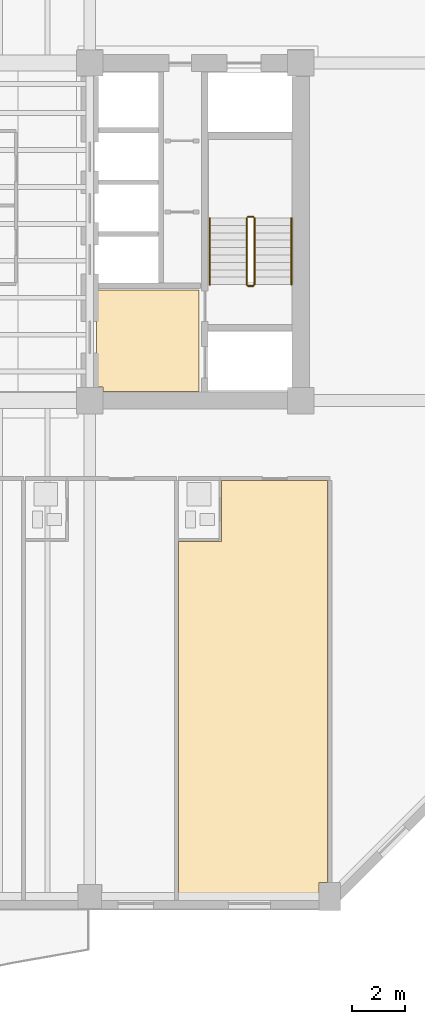
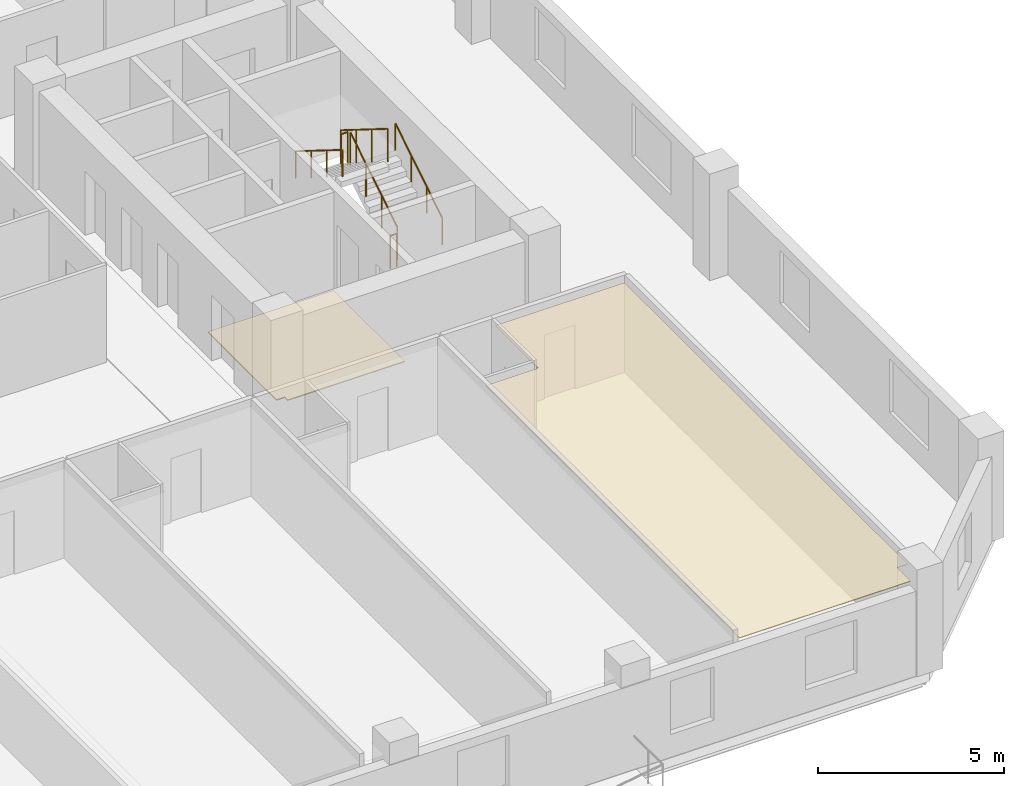
# One storey, part 9 of 11: 6 railings, 2 coverings.
"""IFC4 building model written with IfcOpenShell, lengths in metres."""

from ifc_helpers import new_model, si_unit, direction, frame, origin, origin_2d, place, context, subcontext, project, spatial, polyline, circle, outline, extrude, material, layer, layer_set, type_object, element, save


model = new_model("IFC4")

# Units and contexts
model_context = context("Model", 3, precision=1e-05, world=origin(), true_north=direction((0.0, 1.0)))
body_context = subcontext(model_context, "Body", "Model", "MODEL_VIEW")
ifc_project = project(units=[si_unit("LENGTHUNIT", "METRE"), si_unit("AREAUNIT", "SQUARE_METRE"), si_unit("VOLUMEUNIT", "CUBIC_METRE"), si_unit("PLANEANGLEUNIT", "RADIAN"), si_unit("MASSUNIT", "GRAM", prefix="KILO")], contexts=[model_context])

# Site, building, storey
site_placement = place(None, origin())
site = spatial("IfcSite", under=ifc_project, at=site_placement, CompositionType="ELEMENT")
building_placement = place(site_placement, origin())
building = spatial("IfcBuilding", under=site, at=building_placement, Name="Kranthara Brick Stack", CompositionType="ELEMENT")
storey_placement = place(building_placement, frame((0.0, 0.0, 130.800048828125)))
storey = spatial("IfcBuildingStorey", under=building, at=storey_placement, Name="L32", CompositionType="ELEMENT", Elevation=130.800048828125)

# Coverings
ifc_material_1 = material(Name="Perforated mineral-fibre acoustic ceiling tile", Category="other")
ifc_layer_1 = layer(ifc_material_1, 0.02490234375)
ifc_layer_set_1 = layer_set([ifc_layer_1], Name="Perforated mineral-fibre acoustic ceiling tile")
covering_type_1 = type_object("IfcCoveringType", Name="COV-CEIL-ACOUSTIC", PredefinedType="CEILING", material=ifc_layer_set_1)
covering_1_placement = place(storey_placement, frame((0.0, 0.0, 2.929931640625)))
element("IfcCovering", 1, at=covering_1_placement, inside=storey, type_object=covering_type_1, Name="L32 Room L32-06 Corner Junior Suite Acoustic Ceiling", PredefinedType="CEILING", context=body_context, shape_type="SweptSolid", body=[
    extrude(outline(polyline([(38.573974609375, 1.800048828125), (38.573974609375, 15.4599609375), (40.2041015625, 15.4599609375), (40.2041015625, 17.77001953125), (44.219970703125, 17.77001953125), (44.219970703125, 2.534912109375), (43.889892578125, 2.534912109375), (43.889892578125, 1.800048828125), (38.573974609375, 1.800048828125)])), origin(), (0.0, 0.0, 1.0), 0.02490234375),
])
ifc_material_2 = material(Name="Honed terrazzo and porcelain floor finish", Category="stone")
ifc_layer_2 = layer(ifc_material_2, 0.030029296875)
ifc_layer_set_2 = layer_set([ifc_layer_2], Name="Honed terrazzo and porcelain floor finish")
covering_type_2 = type_object("IfcCoveringType", Name="COV-FLOR-STONE", PredefinedType="FLOORING", material=ifc_layer_set_2)
covering_2_placement = place(storey_placement, origin())
element("IfcCovering", 2, at=covering_2_placement, inside=storey, type_object=covering_type_2, Name="L32 Lift Lobby Stone Flooring", PredefinedType="FLOORING", context=body_context, shape_type="SweptSolid", body=[
    extrude(outline(polyline([(35.449951171875, 25.0), (39.35009765625, 25.0), (39.35009765625, 21.14990234375), (35.7099609375, 21.14990234375), (35.7099609375, 21.31005859375), (35.449951171875, 21.31005859375), (35.449951171875, 25.0)])), origin(), (0.0, 0.0, 1.0), 0.030029296875),
])

# Railings
ifc_material_3 = material(Name="Painted galvanized steel stair guardrail", Category="steel")
railing_type_1 = type_object("IfcRailingType", Name="RL-STAIR-GUARD-1100", PredefinedType="GUARDRAIL", material=ifc_material_3)
railing_1_placement = place(storey_placement, frame((41.449951171875, 25.199951171875, 0.175048828125)))
element("IfcRailing", 3, at=railing_1_placement, inside=storey, type_object=railing_type_1, Name="L32 ST02 stair guard 1", PredefinedType="GUARDRAIL", context=body_context, shape_type="SweptSolid", body=[
    extrude(circle(Radius=0.02392578125, at=origin_2d()), frame((0.0, 0.0, 1.076171875), z_axis=(0.0, 0.848007534815, 0.529984170421), x_axis=(-1.0, 0.0, 0.0)), (0.0, 0.0, 1.0), 2.9716796875),
    extrude(circle(Radius=0.02099609375, at=origin_2d()), origin(), (0.0, 0.0, 1.0), 1.052001953125),
    extrude(circle(Radius=0.02099609375, at=origin_2d()), frame((0.0, 0.840087890625, 0.52490234375)), (0.0, 0.0, 1.0), 1.052001953125),
    extrude(circle(Radius=0.02099609375, at=origin_2d()), frame((0.0, 1.679931640625, 1.050048828125)), (0.0, 0.0, 1.0), 1.052001953125),
    extrude(circle(Radius=0.02099609375, at=origin_2d()), frame((0.0, 2.52001953125, 1.574951171875)), (0.0, 0.0, 1.0), 1.052001953125),
])
railing_2_placement = place(storey_placement, frame((41.39990234375, 27.77001953125, 1.75)))
element("IfcRailing", 4, at=railing_2_placement, inside=storey, type_object=railing_type_1, Name="L32 ST02 stair guard 2", PredefinedType="GUARDRAIL", context=body_context, shape_type="SweptSolid", body=[
    extrude(circle(Radius=0.02392578125, at=origin_2d()), frame((0.0, 0.0, 1.076171875), z_axis=(-1.0, 0.0, 0.0), x_axis=(0.0, -1.0, 0.0)), (0.0, 0.0, 1.0), 0.199951171875),
    extrude(circle(Radius=0.02099609375, at=origin_2d()), origin(), (0.0, 0.0, 1.0), 1.052001953125),
    extrude(circle(Radius=0.02099609375, at=origin_2d()), frame((-0.199951171875, 0.0, 0.0)), (0.0, 0.0, 1.0), 1.052001953125),
])
railing_3_placement = place(storey_placement, frame((41.14990234375, 27.719970703125, 1.925048828125)))
element("IfcRailing", 5, at=railing_3_placement, inside=storey, type_object=railing_type_1, Name="L32 ST02 stair guard 3", PredefinedType="GUARDRAIL", context=body_context, shape_type="SweptSolid", body=[
    extrude(circle(Radius=0.02392578125, at=origin_2d()), frame((0.0, 0.0, 1.076171875), z_axis=(0.0, -0.848007534815, 0.529984170421), x_axis=(1.0, 0.0, 0.0)), (0.0, 0.0, 1.0), 2.9716796875),
    extrude(circle(Radius=0.02099609375, at=origin_2d()), origin(), (0.0, 0.0, 1.0), 1.052001953125),
    extrude(circle(Radius=0.02099609375, at=origin_2d()), frame((0.0, -0.840087890625, 0.52490234375)), (0.0, 0.0, 1.0), 1.052001953125),
    extrude(circle(Radius=0.02099609375, at=origin_2d()), frame((0.0, -1.679931640625, 1.050048828125)), (0.0, 0.0, 1.0), 1.052001953125),
    extrude(circle(Radius=0.02099609375, at=origin_2d()), frame((0.0, -2.52001953125, 1.574951171875)), (0.0, 0.0, 1.0), 1.052001953125),
])
railing_4_placement = place(storey_placement, frame((41.39990234375, 25.14990234375, 0.0)))
element("IfcRailing", 6, at=railing_4_placement, inside=storey, type_object=railing_type_1, Name="L32 ST02 stair guard 4", PredefinedType="GUARDRAIL", context=body_context, shape_type="SweptSolid", body=[
    extrude(circle(Radius=0.02392578125, at=origin_2d()), frame((0.0, 0.0, 1.076171875), z_axis=(-1.0, 0.0, 0.0), x_axis=(0.0, -1.0, 0.0)), (0.0, 0.0, 1.0), 0.199951171875),
    extrude(circle(Radius=0.02099609375, at=origin_2d()), origin(), (0.0, 0.0, 1.0), 1.052001953125),
    extrude(circle(Radius=0.02099609375, at=origin_2d()), frame((-0.199951171875, 0.0, 0.0)), (0.0, 0.0, 1.0), 1.052001953125),
])
ifc_material_4 = material(Name="Brushed stainless steel tubular handrail", Category="steel")
railing_type_2 = type_object("IfcRailingType", Name="RL-STAIR-HAND-900", PredefinedType="HANDRAIL", material=ifc_material_4)
railing_5_placement = place(storey_placement, frame((42.85009765625, 25.199951171875, 0.175048828125)))
element("IfcRailing", 7, at=railing_5_placement, inside=storey, type_object=railing_type_2, Name="L32 ST02 stair handrail 1", PredefinedType="HANDRAIL", context=body_context, shape_type="SweptSolid", body=[
    extrude(circle(Radius=0.02392578125, at=origin_2d()), frame((0.0, 0.0, 0.8759765625), z_axis=(0.0, 0.848007534815, 0.529984170421), x_axis=(-1.0, 0.0, 0.0)), (0.0, 0.0, 1.0), 2.9716796875),
    extrude(circle(Radius=0.02099609375, at=origin_2d()), origin(), (0.0, 0.0, 1.0), 0.851806640625),
    extrude(circle(Radius=0.02099609375, at=origin_2d()), frame((0.0, 0.840087890625, 0.52490234375)), (0.0, 0.0, 1.0), 0.851806640625),
    extrude(circle(Radius=0.02099609375, at=origin_2d()), frame((0.0, 1.679931640625, 1.050048828125)), (0.0, 0.0, 1.0), 0.851806640625),
    extrude(circle(Radius=0.02099609375, at=origin_2d()), frame((0.0, 2.52001953125, 1.574951171875)), (0.0, 0.0, 1.0), 0.851806640625),
])
railing_6_placement = place(storey_placement, frame((39.75, 27.719970703125, 1.925048828125)))
element("IfcRailing", 8, at=railing_6_placement, inside=storey, type_object=railing_type_2, Name="L32 ST02 stair handrail 2", PredefinedType="HANDRAIL", context=body_context, shape_type="SweptSolid", body=[
    extrude(circle(Radius=0.02392578125, at=origin_2d()), frame((0.0, 0.0, 0.8759765625), z_axis=(0.0, -0.848007534815, 0.529984170421), x_axis=(1.0, 0.0, 0.0)), (0.0, 0.0, 1.0), 2.9716796875),
    extrude(circle(Radius=0.02099609375, at=origin_2d()), origin(), (0.0, 0.0, 1.0), 0.851806640625),
    extrude(circle(Radius=0.02099609375, at=origin_2d()), frame((0.0, -0.840087890625, 0.52490234375)), (0.0, 0.0, 1.0), 0.851806640625),
    extrude(circle(Radius=0.02099609375, at=origin_2d()), frame((0.0, -1.679931640625, 1.050048828125)), (0.0, 0.0, 1.0), 0.851806640625),
    extrude(circle(Radius=0.02099609375, at=origin_2d()), frame((0.0, -2.52001953125, 1.574951171875)), (0.0, 0.0, 1.0), 0.851806640625),
])

save(model, "model.ifc")
